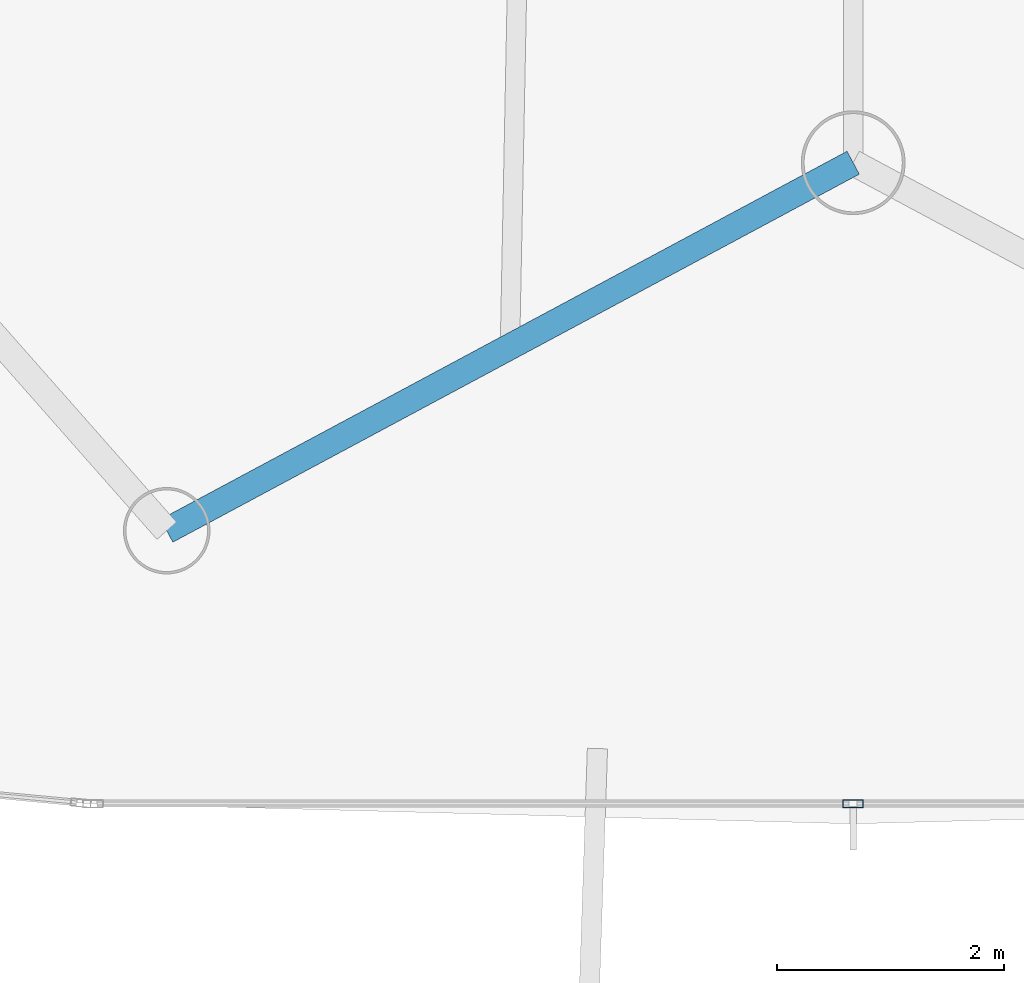
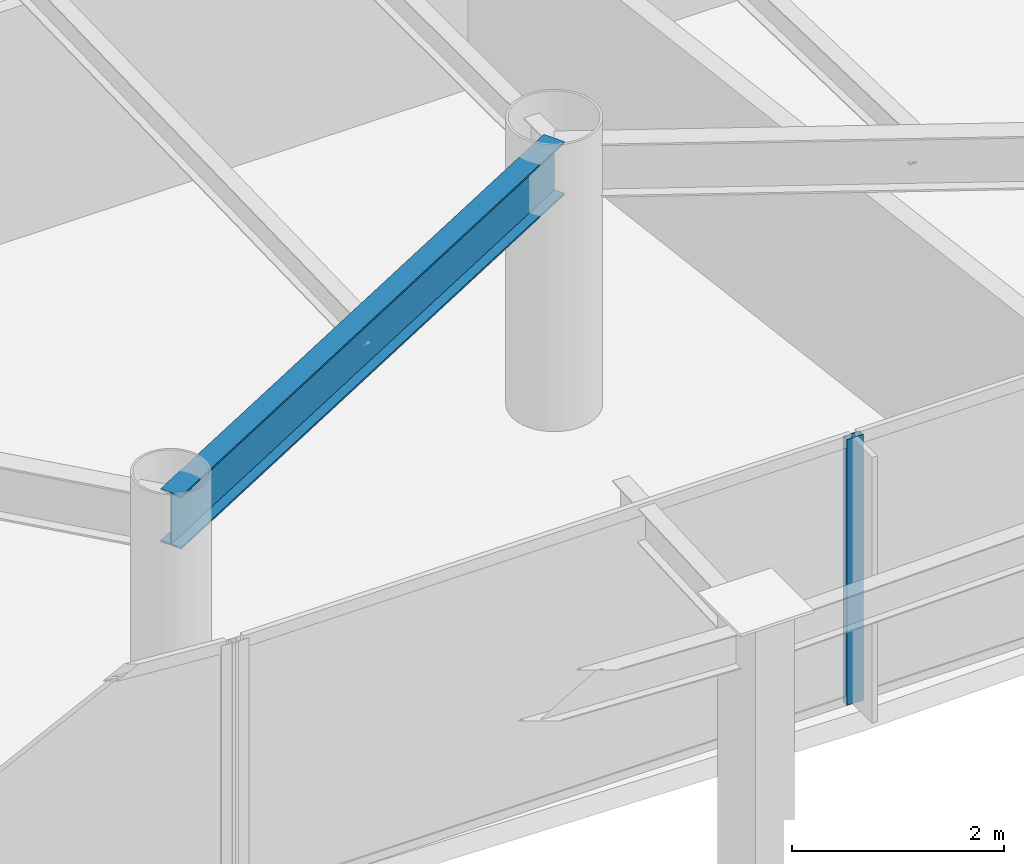
# One storey, part 8 of 35: 1 beam, 1 member, 1 element without a shape of its own.
"""IFC4 building model written with IfcOpenShell, lengths in metres."""

import ifcopenshell
import ifcopenshell.guid

model = None  # the IFC model being written
_history = None  # IfcOwnerHistory: only IFC2X3 demands one
_inside = {}  # id of a spatial element -> (the spatial element, [elements in it])
_under = {}  # id of a project, library or spatial element -> (it, [spatial elements below it])
_declared = {}  # id of a project -> (the project, [libraries it declares])
_typed = {}  # id of a type object -> (the type object, [elements of that type])
_made_of = {}  # id of a material, layer set ... -> (it, [elements and type objects made of it])


def new_model(schema):
    """Start an empty IFC model of exactly this schema.

    Asked for "IFC4X3", IfcOpenShell would pick the latest addendum, in which some entities
    have other attributes; the version numbers below select the first issue.
    IFC2X3 requires an IfcOwnerHistory on every rooted entity: one is made here for all.
    """
    global model, _history
    if schema == "IFC4X3":
        model = ifcopenshell.file(schema_version=(4, 3, 0, 0))
    else:
        model = ifcopenshell.file(schema=schema)
    _inside.clear()
    _under.clear()
    _declared.clear()
    _typed.clear()
    _made_of.clear()
    _history = None
    if model.schema == "IFC2X3":
        org = make("IfcOrganization", Name="unknown")
        user = make(
            "IfcPersonAndOrganization",
            ThePerson=make("IfcPerson", FamilyName="unknown"),
            TheOrganization=org,
        )
        app = make(
            "IfcApplication",
            ApplicationDeveloper=org,
            Version="unknown",
            ApplicationFullName="unknown",
            ApplicationIdentifier="unknown",
        )
        _history = make(
            "IfcOwnerHistory",
            OwningUser=user,
            OwningApplication=app,
            ChangeAction="ADDED",
            CreationDate=0,
        )
    return model


def make(cls, **values):
    """One entity of the class cls with the attributes given. An attribute that is None is left unset."""
    return model.create_entity(
        cls, **{name: value for name, value in values.items() if value is not None}
    )


def rooted(cls, **values):
    """An entity with a GlobalId (a new one), such as an element, a storey or a relation."""
    return make(cls, GlobalId=ifcopenshell.guid.new(), OwnerHistory=_history, **values)


def si_unit(unit_type, name, prefix=None):
    """IfcSIUnit, for example si_unit("LENGTHUNIT", "METRE", prefix="MILLI")."""
    return make("IfcSIUnit", UnitType=unit_type, Prefix=prefix, Name=name)


def assignment(units):
    """IfcUnitAssignment: the units of a project."""
    return None if units is None else make("IfcUnitAssignment", Units=units)


def point(xyz):
    """IfcCartesianPoint."""
    return None if xyz is None else make("IfcCartesianPoint", Coordinates=xyz)


def direction(xyz):
    """IfcDirection."""
    return None if xyz is None else make("IfcDirection", DirectionRatios=xyz)


def frame(location, z_axis=None, x_axis=None):
    """IfcAxis2Placement3D, a coordinate frame: its origin and axes. An axis left out is left unset."""
    return make(
        "IfcAxis2Placement3D",
        Location=point(location),
        Axis=direction(z_axis),
        RefDirection=direction(x_axis),
    )


def frame_2d(location, x_axis=None):
    """IfcAxis2Placement2D, a coordinate frame in the plane: its origin and x axis."""
    return make(
        "IfcAxis2Placement2D", Location=point(location), RefDirection=direction(x_axis)
    )


def origin():
    """The frame at (0, 0, 0) with its axes left unset."""
    return frame((0.0, 0.0, 0.0))


def origin_2d():
    """The frame at (0, 0) in the plane with its x axis left unset."""
    return frame_2d((0.0, 0.0))


def place(relative_to, where):
    """IfcLocalPlacement: puts the frame where relative to a parent placement (None: the world)."""
    return make(
        "IfcLocalPlacement", PlacementRelTo=relative_to, RelativePlacement=where
    )


def context(
    kind, dimensions, precision=None, world=None, true_north=None, identifier=None
):
    """IfcGeometricRepresentationContext, for example the 3D "Model" context."""
    return make(
        "IfcGeometricRepresentationContext",
        ContextIdentifier=identifier,
        ContextType=kind,
        CoordinateSpaceDimension=dimensions,
        Precision=precision,
        WorldCoordinateSystem=world,
        TrueNorth=true_north,
    )


def subcontext(parent, identifier, kind, view, scale=None):
    """IfcGeometricRepresentationSubContext, for example "Body" below "Model"."""
    return make(
        "IfcGeometricRepresentationSubContext",
        ContextIdentifier=identifier,
        ContextType=kind,
        ParentContext=parent,
        TargetScale=scale,
        TargetView=view,
    )


def project(units=None, contexts=None):
    """IfcProject with its units and contexts."""
    return rooted(
        "IfcProject",
        Name="project",
        RepresentationContexts=contexts,
        UnitsInContext=assignment(units),
    )


def spatial(cls, under=None, at=None, **own):
    """A site, building, storey or space (cls), placed at a placement, below another one or the project."""
    s = rooted(cls, ObjectPlacement=at, **own)
    if under is not None:
        _under.setdefault(under.id(), (under, []))[1].append(s)
    return s


def profile(cls, at=None, kind="AREA", **sizes):
    """A parametric profile (cls). Its sizes go by their IFC names, for example OverallWidth=200.0."""
    return make(cls, ProfileType=kind, Position=at, **sizes)


def hollow_rectangle(**sizes):
    """IfcRectangleHollowProfileDef."""
    return profile("IfcRectangleHollowProfileDef", **sizes)


def i_section(**sizes):
    """IfcIShapeProfileDef."""
    return profile("IfcIShapeProfileDef", **sizes)


def extrude(swept, where, along, depth):
    """IfcExtrudedAreaSolid: the profile swept, set in the frame where, extruded along a direction by depth."""
    return make(
        "IfcExtrudedAreaSolid",
        SweptArea=swept,
        Position=where,
        ExtrudedDirection=direction(along),
        Depth=depth,
    )


def shape(context_of_items, identifier, shape_type, items):
    """IfcShapeRepresentation: the items that make up one representation, for example the "Body"."""
    return make(
        "IfcShapeRepresentation",
        ContextOfItems=context_of_items,
        RepresentationIdentifier=identifier,
        RepresentationType=shape_type,
        Items=items,
    )


def material(Name=None, Category=None):
    """IfcMaterial."""
    return make("IfcMaterial", Name=Name, Category=Category)


def layer(
    of_material, thickness, ventilated=None, Name=None, Category=None, Priority=None
):
    """IfcMaterialLayer: one layer of a wall or slab, of a material (None: an air gap)."""
    return make(
        "IfcMaterialLayer",
        Material=of_material,
        LayerThickness=thickness,
        IsVentilated=ventilated,
        Name=Name,
        Category=Category,
        Priority=Priority,
    )


def layer_set(layers, Name=None):
    """IfcMaterialLayerSet."""
    return make("IfcMaterialLayerSet", MaterialLayers=layers, LayerSetName=Name)


def material_profile(
    of_material, cross_section, Name=None, Category=None, Priority=None
):
    """IfcMaterialProfile: a cross section and its material."""
    return make(
        "IfcMaterialProfile",
        Name=Name,
        Material=of_material,
        Profile=cross_section,
        Priority=Priority,
        Category=Category,
    )


def profile_set(profiles, Name=None, composite=None):
    """IfcMaterialProfileSet."""
    return make(
        "IfcMaterialProfileSet",
        Name=Name,
        MaterialProfiles=profiles,
        CompositeProfile=composite,
    )


def made_of(thing, what):
    """Note that an element or type object is made of a material, layer set ...; save() writes the relation."""
    if what is not None:
        _made_of.setdefault(what.id(), (what, []))[1].append(thing)
    return thing


def type_object(cls, material=None, **own):
    """A type object (cls), such as IfcWallType, which elements share."""
    return made_of(rooted(cls, **own), material)


def element(
    cls,
    number,
    at=None,
    inside=None,
    cuts=None,
    type_object=None,
    material=None,
    context=None,
    identifier="Body",
    shape_type=None,
    held_by="IfcProductDefinitionShape",
    body=None,
    shapes=None,
    **own,
):
    """One element of the class cls, such as IfcWall. Its Tag is "e" and its number.

    at: its placement. inside: the storey or other place that contains it. cuts: it is an
    opening in that element (IfcRelVoidsElement). A single representation is given by context,
    identifier, shape_type and body (its items); several are given by shapes. held_by: the class
    of the entity that holds the representations. save() writes the other relations.
    """
    e = rooted(cls, Tag="e%d" % number, ObjectPlacement=at, **own)
    if body is not None:
        shapes = [shape(context, identifier, shape_type, body)]
    if shapes is not None:
        e.Representation = make(held_by, Representations=shapes)
    if inside is not None:
        _inside.setdefault(inside.id(), (inside, []))[1].append(e)
    if cuts is not None:
        rooted(
            "IfcRelVoidsElement", RelatingBuildingElement=cuts, RelatedOpeningElement=e
        )
    if type_object is not None:
        _typed.setdefault(type_object.id(), (type_object, []))[1].append(e)
    return made_of(e, material)


def aggregate(whole, parts):
    """IfcRelAggregates: a whole, such as a stair, and the parts it consists of."""
    return rooted("IfcRelAggregates", RelatingObject=whole, RelatedObjects=parts)


def save(model, path):
    """Write the relations noted so far, then the file.

    IfcRelAggregates (storeys below a building ...), IfcRelContainedInSpatialStructure (elements
    in a storey), IfcRelDefinesByType, IfcRelAssociatesMaterial and IfcRelDeclares: one each for
    every whole, place, type object, material and project.
    """
    for whole, parts in _under.values():
        aggregate(whole, parts)
    for where, things in _inside.values():
        rooted(
            "IfcRelContainedInSpatialStructure",
            RelatedElements=things,
            RelatingStructure=where,
        )
    for kind, things in _typed.values():
        rooted("IfcRelDefinesByType", RelatedObjects=things, RelatingType=kind)
    for what, things in _made_of.values():
        rooted("IfcRelAssociatesMaterial", RelatedObjects=things, RelatingMaterial=what)
    for by, libraries in _declared.values():
        rooted("IfcRelDeclares", RelatingContext=by, RelatedDefinitions=libraries)
    model.write(path)


model = new_model("IFC4")

# Units and contexts
model_context = context("Model", 3, precision=1e-05, world=origin(), true_north=direction((0.0, 1.0)))
body_context = subcontext(model_context, "Body", "Model", "MODEL_VIEW")
ifc_project = project(units=[si_unit("LENGTHUNIT", "METRE"), si_unit("AREAUNIT", "SQUARE_METRE"), si_unit("VOLUMEUNIT", "CUBIC_METRE"), si_unit("PLANEANGLEUNIT", "RADIAN"), si_unit("MASSUNIT", "GRAM", prefix="KILO")], contexts=[model_context])

# Site, building, storey
site_placement = place(None, origin())
site = spatial("IfcSite", under=ifc_project, at=site_placement, CompositionType="ELEMENT")
building_placement = place(site_placement, origin())
building = spatial("IfcBuilding", under=site, at=building_placement, Name="Orvanel Arch Residences", CompositionType="ELEMENT")
storey_placement = place(building_placement, frame((0.0, 0.0, 30.199951171875)))
storey = spatial("IfcBuildingStorey", under=building, at=storey_placement, Name="L07", CompositionType="ELEMENT", Elevation=30.199951171875)

# Curtain wall, member
ifc_material_1 = material(Name="Bronze-anodised aluminium AA6063-T6", Category="aluminium")
ifc_layer = layer(ifc_material_1, 0.179931640625)
ifc_layer_set = layer_set([ifc_layer], Name="Bronze-anodised aluminium AA6063-T6")
curtain_wall_type = type_object("IfcCurtainWallType", Name="CW2-LOW-SYS", PredefinedType="NOTDEFINED", material=ifc_layer_set)
curtain_wall_placement = place(storey_placement, origin())
curtain_wall = element("IfcCurtainWall", 1, at=curtain_wall_placement, inside=storey, type_object=curtain_wall_type, Name="L07 CW2-LOW-SYS Unitised Curtain Wall", PredefinedType="NOTDEFINED")
ifc_material_profile_1 = material_profile(ifc_material_1, hollow_rectangle(XDim=0.070068359375, YDim=0.179931640625, WallThickness=0.00439453125, at=origin_2d()), Name="ALU180x70x4.5")
ifc_profile_set_1 = profile_set([ifc_material_profile_1], Name="Bronze-anodised aluminium AA6063-T6")
member_type = type_object("IfcMemberType", Name="MUL-180x70", PredefinedType="MULLION", material=ifc_profile_set_1)
member_placement = place(storey_placement, frame((33.0, 1.2041015625, 0.0), z_axis=(0.0, 0.0, 1.0), x_axis=(0.0, 1.0, 0.0)))
member = element("IfcMember", 2, at=member_placement, type_object=member_type, Name="CW-S2 mullion 2", PredefinedType="MULLION", context=body_context, shape_type="SweptSolid", body=[
    extrude(hollow_rectangle(XDim=0.070068359375, YDim=0.179931640625, WallThickness=0.00439453125, at=origin_2d()), origin(), (0.0, 0.0, 1.0), 3.06005859375),
])
aggregate(curtain_wall, [member])

# Beam
ifc_material_2 = material(Name="Structural steel AS/NZS 3679.1 Grade 300 (300 MPa)", Category="steel")
ifc_material_profile_2 = material_profile(ifc_material_2, i_section(OverallWidth=0.22900390625, OverallDepth=0.612060546875, WebThickness=0.011962890625, FlangeThickness=0.01953125, at=origin_2d()), Name="610UB125")
ifc_profile_set_2 = profile_set([ifc_material_profile_2], Name="Structural steel AS/NZS 3679.1 Grade 300 (300 MPa)")
beam_type = type_object("IfcBeamType", Name="SP-610UB", PredefinedType="SPANDREL", material=ifc_profile_set_2)
beam_placement = place(storey_placement, frame((26.9580078125, 3.60498046875, 2.754150390625), z_axis=(0.881344400551, 0.472474388319, 0.0), x_axis=(-0.472474388319, 0.881344400551, 0.0)))
element("IfcBeam", 3, at=beam_placement, inside=storey, type_object=beam_type, Name="L07 Perimeter Spandrel Beam 06", PredefinedType="SPANDREL", context=body_context, shape_type="SweptSolid", body=[
    extrude(i_section(OverallWidth=0.22900390625, OverallDepth=0.612060546875, WebThickness=0.011962890625, FlangeThickness=0.01953125, at=origin_2d()), origin(), (0.0, 0.0, 1.0), 6.85546875),
])

save(model, "model.ifc")
